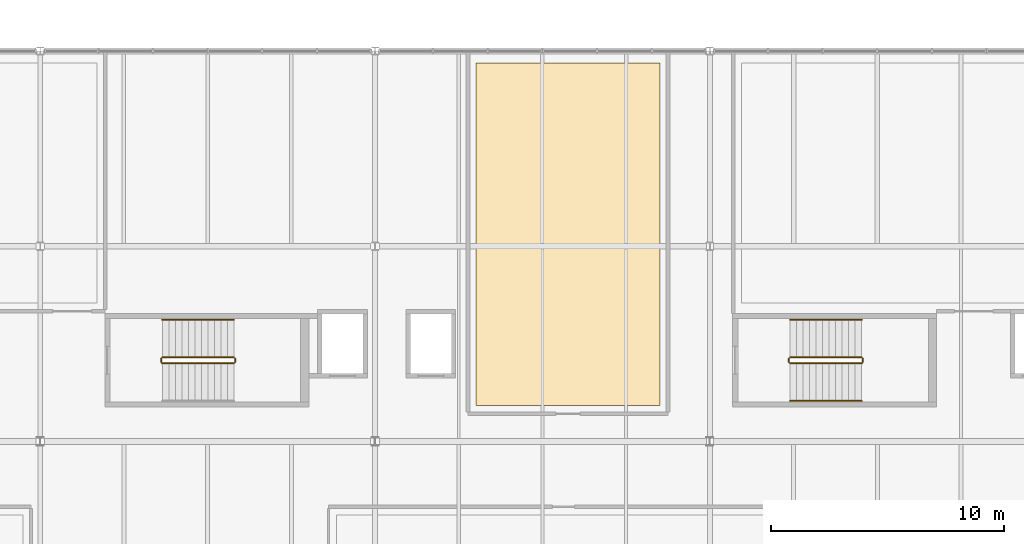
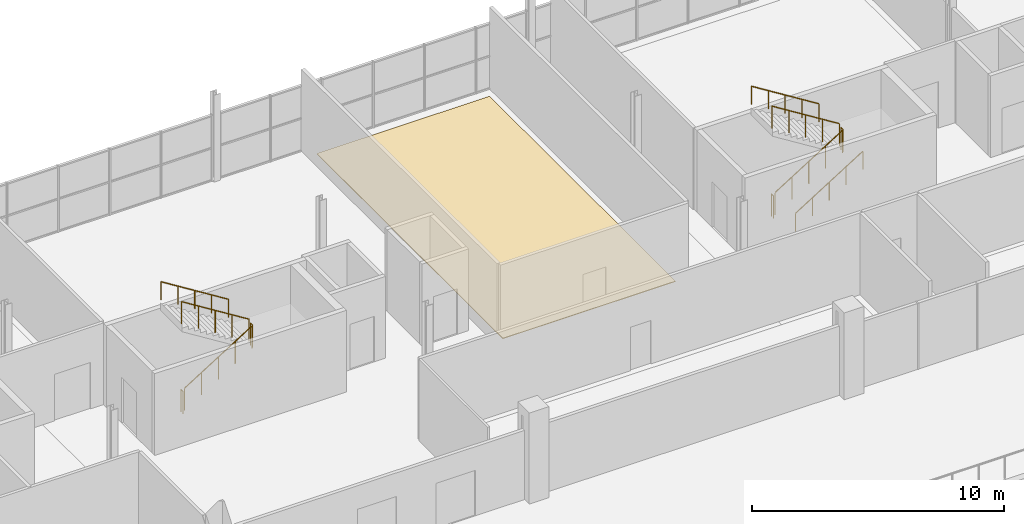
# One storey, part 91 of 93: 11 railings, 1 covering.
"""IFC4 building model written with IfcOpenShell, lengths in metres."""

from ifc_helpers import new_model, si_unit, direction, frame, origin, origin_2d, place, context, subcontext, project, spatial, polyline, circle, outline, extrude, material, layer, layer_set, type_object, element, save


model = new_model("IFC4")

# Units and contexts
model_context = context("Model", 3, precision=1e-05, world=origin(), true_north=direction((0.0, 1.0)))
body_context = subcontext(model_context, "Body", "Model", "MODEL_VIEW")
ifc_project = project(units=[si_unit("LENGTHUNIT", "METRE"), si_unit("AREAUNIT", "SQUARE_METRE"), si_unit("VOLUMEUNIT", "CUBIC_METRE"), si_unit("PLANEANGLEUNIT", "RADIAN"), si_unit("MASSUNIT", "GRAM", prefix="KILO"), si_unit("THERMODYNAMICTEMPERATUREUNIT", "KELVIN")], contexts=[model_context])

# Site, building, storey
site_placement = place(None, origin())
site = spatial("IfcSite", under=ifc_project, at=site_placement, CompositionType="ELEMENT")
building_placement = place(site_placement, origin())
building = spatial("IfcBuilding", under=site, at=building_placement, Name="Nduvali Passage Aquatics Centre", CompositionType="ELEMENT")
storey_placement = place(building_placement, frame((0.0, 0.0, 9.0)))
storey = spatial("IfcBuildingStorey", under=building, at=storey_placement, Name="L02", CompositionType="ELEMENT", Elevation=9.0)

# Covering
ifc_material_1 = material(Name="Polished coral-aggregate terrazzo")
ifc_layer = layer(ifc_material_1, 0.030029296875, Name="Polished coral-aggregate terrazzo")
ifc_layer_set = layer_set([ifc_layer], Name="Polished coral-aggregate terrazzo")
covering_type = type_object("IfcCoveringType", Name="INT-COV-TERRAZZO", PredefinedType="FLOORING", material=ifc_layer_set)
covering_placement = place(storey_placement, origin())
element("IfcCovering", 1, at=covering_placement, inside=storey, type_object=covering_type, Name="L02 Sports Medicine Consultation Clinic Floor Finish", PredefinedType="FLOORING", context=body_context, shape_type="SweptSolid", body=[
    extrude(outline(polyline([(87.14990234375, 102.35009765625), (95.050048828125, 102.35009765625), (95.050048828125, 117.090087890625), (87.14990234375, 117.090087890625), (87.14990234375, 102.35009765625)])), origin(), (0.0, 0.0, 1.0), 0.030029296875),
])

# Railings
ifc_material_2 = material(Name="Stainless steel balustrade", Category="steel")
railing_type_1 = type_object("IfcRailingType", Name="INT-RLG-GRD110", PredefinedType="GUARDRAIL", material=ifc_material_2)
railing_1_placement = place(storey_placement, frame((73.64990234375, 104.169921875, 0.175048828125)))
element("IfcRailing", 2, at=railing_1_placement, inside=storey, type_object=railing_type_1, Name="L02 ST1 stair guard 1", PredefinedType="GUARDRAIL", context=body_context, shape_type="SweptSolid", body=[
    extrude(circle(Radius=0.02392578125, at=origin_2d()), frame((0.0, 0.0, 1.076171875), z_axis=(0.847998304005, 0.0, 0.529998940003), x_axis=(0.0, 1.0, 0.0)), (0.0, 0.0, 1.0), 3.632080078125),
    extrude(circle(Radius=0.02099609375, at=origin_2d()), origin(), (0.0, 0.0, 1.0), 1.052001953125),
    extrude(circle(Radius=0.02099609375, at=origin_2d()), frame((0.77001953125, 0.0, 0.481201171875)), (0.0, 0.0, 1.0), 1.052001953125),
    extrude(circle(Radius=0.02099609375, at=origin_2d()), frame((1.5400390625, 0.0, 0.96240234375)), (0.0, 0.0, 1.0), 1.052001953125),
    extrude(circle(Radius=0.02099609375, at=origin_2d()), frame((2.31005859375, 0.0, 1.44384765625)), (0.0, 0.0, 1.0), 1.052001953125),
    extrude(circle(Radius=0.02099609375, at=origin_2d()), frame((3.080078125, 0.0, 1.925048828125)), (0.0, 0.0, 1.0), 1.052001953125),
])
railing_2_placement = place(storey_placement, frame((76.780029296875, 104.219970703125, 2.10009765625)))
element("IfcRailing", 3, at=railing_2_placement, inside=storey, type_object=railing_type_1, Name="L02 ST1 stair guard 2", PredefinedType="GUARDRAIL", context=body_context, shape_type="SweptSolid", body=[
    extrude(circle(Radius=0.02392578125, at=origin_2d()), frame((0.0, 0.0, 1.076171875), z_axis=(0.0, 1.0, 0.0), x_axis=(-1.0, 0.0, 0.0)), (0.0, 0.0, 1.0), 0.150146484375),
    extrude(circle(Radius=0.02099609375, at=origin_2d()), origin(), (0.0, 0.0, 1.0), 1.052001953125),
    extrude(circle(Radius=0.02099609375, at=origin_2d()), frame((0.0, 0.150146484375, 0.0)), (0.0, 0.0, 1.0), 1.052001953125),
])
railing_3_placement = place(storey_placement, frame((76.72998046875, 104.419921875, 2.27490234375)))
element("IfcRailing", 4, at=railing_3_placement, inside=storey, type_object=railing_type_1, Name="L02 ST1 stair guard 3", PredefinedType="GUARDRAIL", context=body_context, shape_type="SweptSolid", body=[
    extrude(circle(Radius=0.02392578125, at=origin_2d()), frame((0.0, 0.0, 1.076171875), z_axis=(-0.847998304005, 0.0, 0.529998940003), x_axis=(0.0, -1.0, 0.0)), (0.0, 0.0, 1.0), 3.632080078125),
    extrude(circle(Radius=0.02099609375, at=origin_2d()), origin(), (0.0, 0.0, 1.0), 1.052001953125),
    extrude(circle(Radius=0.02099609375, at=origin_2d()), frame((-0.77001953125, 0.0, 0.481201171875)), (0.0, 0.0, 1.0), 1.052001953125),
    extrude(circle(Radius=0.02099609375, at=origin_2d()), frame((-1.5400390625, 0.0, 0.96240234375)), (0.0, 0.0, 1.0), 1.052001953125),
    extrude(circle(Radius=0.02099609375, at=origin_2d()), frame((-2.31005859375, 0.0, 1.44384765625)), (0.0, 0.0, 1.0), 1.052001953125),
    extrude(circle(Radius=0.02099609375, at=origin_2d()), frame((-3.080078125, 0.0, 1.925048828125)), (0.0, 0.0, 1.0), 1.052001953125),
])
railing_4_placement = place(storey_placement, frame((73.60009765625, 104.219970703125, 0.0)))
element("IfcRailing", 5, at=railing_4_placement, inside=storey, type_object=railing_type_1, Name="L02 ST1 stair guard 4", PredefinedType="GUARDRAIL", context=body_context, shape_type="SweptSolid", body=[
    extrude(circle(Radius=0.02392578125, at=origin_2d()), frame((0.0, 0.0, 1.076171875), z_axis=(0.0, 1.0, 0.0), x_axis=(-1.0, 0.0, 0.0)), (0.0, 0.0, 1.0), 0.150146484375),
    extrude(circle(Radius=0.02099609375, at=origin_2d()), origin(), (0.0, 0.0, 1.0), 1.052001953125),
    extrude(circle(Radius=0.02099609375, at=origin_2d()), frame((0.0, 0.150146484375, 0.0)), (0.0, 0.0, 1.0), 1.052001953125),
])
railing_5_placement = place(storey_placement, frame((100.64990234375, 104.169921875, 0.175048828125)))
element("IfcRailing", 6, at=railing_5_placement, inside=storey, type_object=railing_type_1, Name="L02 ST11 stair guard 1", PredefinedType="GUARDRAIL", context=body_context, shape_type="SweptSolid", body=[
    extrude(circle(Radius=0.02392578125, at=origin_2d()), frame((0.0, 0.0, 1.076171875), z_axis=(0.847998304005, 0.0, 0.529998940003), x_axis=(0.0, 1.0, 0.0)), (0.0, 0.0, 1.0), 3.632080078125),
    extrude(circle(Radius=0.02099609375, at=origin_2d()), origin(), (0.0, 0.0, 1.0), 1.052001953125),
    extrude(circle(Radius=0.02099609375, at=origin_2d()), frame((0.77001953125, 0.0, 0.481201171875)), (0.0, 0.0, 1.0), 1.052001953125),
    extrude(circle(Radius=0.02099609375, at=origin_2d()), frame((1.5400390625, 0.0, 0.96240234375)), (0.0, 0.0, 1.0), 1.052001953125),
    extrude(circle(Radius=0.02099609375, at=origin_2d()), frame((2.31005859375, 0.0, 1.44384765625)), (0.0, 0.0, 1.0), 1.052001953125),
    extrude(circle(Radius=0.02099609375, at=origin_2d()), frame((3.080078125, 0.0, 1.925048828125)), (0.0, 0.0, 1.0), 1.052001953125),
])
railing_6_placement = place(storey_placement, frame((103.780029296875, 104.219970703125, 2.10009765625)))
element("IfcRailing", 7, at=railing_6_placement, inside=storey, type_object=railing_type_1, Name="L02 ST11 stair guard 2", PredefinedType="GUARDRAIL", context=body_context, shape_type="SweptSolid", body=[
    extrude(circle(Radius=0.02392578125, at=origin_2d()), frame((0.0, 0.0, 1.076171875), z_axis=(0.0, 1.0, 0.0), x_axis=(-1.0, 0.0, 0.0)), (0.0, 0.0, 1.0), 0.150146484375),
    extrude(circle(Radius=0.02099609375, at=origin_2d()), origin(), (0.0, 0.0, 1.0), 1.052001953125),
    extrude(circle(Radius=0.02099609375, at=origin_2d()), frame((0.0, 0.150146484375, 0.0)), (0.0, 0.0, 1.0), 1.052001953125),
])
railing_7_placement = place(storey_placement, frame((103.72998046875, 104.419921875, 2.27490234375)))
element("IfcRailing", 8, at=railing_7_placement, inside=storey, type_object=railing_type_1, Name="L02 ST11 stair guard 3", PredefinedType="GUARDRAIL", context=body_context, shape_type="SweptSolid", body=[
    extrude(circle(Radius=0.02392578125, at=origin_2d()), frame((0.0, 0.0, 1.076171875), z_axis=(-0.847998304005, 0.0, 0.529998940003), x_axis=(0.0, -1.0, 0.0)), (0.0, 0.0, 1.0), 3.632080078125),
    extrude(circle(Radius=0.02099609375, at=origin_2d()), origin(), (0.0, 0.0, 1.0), 1.052001953125),
    extrude(circle(Radius=0.02099609375, at=origin_2d()), frame((-0.77001953125, 0.0, 0.481201171875)), (0.0, 0.0, 1.0), 1.052001953125),
    extrude(circle(Radius=0.02099609375, at=origin_2d()), frame((-1.5400390625, 0.0, 0.96240234375)), (0.0, 0.0, 1.0), 1.052001953125),
    extrude(circle(Radius=0.02099609375, at=origin_2d()), frame((-2.31005859375, 0.0, 1.44384765625)), (0.0, 0.0, 1.0), 1.052001953125),
    extrude(circle(Radius=0.02099609375, at=origin_2d()), frame((-3.080078125, 0.0, 1.925048828125)), (0.0, 0.0, 1.0), 1.052001953125),
])
railing_8_placement = place(storey_placement, frame((100.60009765625, 104.219970703125, 0.0)))
element("IfcRailing", 9, at=railing_8_placement, inside=storey, type_object=railing_type_1, Name="L02 ST11 stair guard 4", PredefinedType="GUARDRAIL", context=body_context, shape_type="SweptSolid", body=[
    extrude(circle(Radius=0.02392578125, at=origin_2d()), frame((0.0, 0.0, 1.076171875), z_axis=(0.0, 1.0, 0.0), x_axis=(-1.0, 0.0, 0.0)), (0.0, 0.0, 1.0), 0.150146484375),
    extrude(circle(Radius=0.02099609375, at=origin_2d()), origin(), (0.0, 0.0, 1.0), 1.052001953125),
    extrude(circle(Radius=0.02099609375, at=origin_2d()), frame((0.0, 0.150146484375, 0.0)), (0.0, 0.0, 1.0), 1.052001953125),
])
railing_type_2 = type_object("IfcRailingType", Name="INT-RLG-HND90", PredefinedType="HANDRAIL", material=ifc_material_2)
railing_9_placement = place(storey_placement, frame((76.72998046875, 106.0400390625, 2.45361328125)))
element("IfcRailing", 10, at=railing_9_placement, inside=storey, type_object=railing_type_2, Name="L02 ST1 stair handrail 2", PredefinedType="HANDRAIL", context=body_context, shape_type="SweptSolid", body=[
    extrude(circle(Radius=0.02392578125, at=origin_2d()), frame((0.0, 0.0, 0.8759765625), z_axis=(-0.847998304005, 0.0, 0.529998940003), x_axis=(0.0, -1.0, 0.0)), (0.0, 0.0, 1.0), 3.632080078125),
    extrude(circle(Radius=0.02099609375, at=origin_2d()), origin(), (0.0, 0.0, 1.0), 0.851806640625),
    extrude(circle(Radius=0.02099609375, at=origin_2d()), frame((-0.77001953125, 0.0, 0.481201171875)), (0.0, 0.0, 1.0), 0.851806640625),
    extrude(circle(Radius=0.02099609375, at=origin_2d()), frame((-1.5400390625, 0.0, 0.96240234375)), (0.0, 0.0, 1.0), 0.851806640625),
    extrude(circle(Radius=0.02099609375, at=origin_2d()), frame((-2.31005859375, 0.0, 1.44384765625)), (0.0, 0.0, 1.0), 0.851806640625),
    extrude(circle(Radius=0.02099609375, at=origin_2d()), frame((-3.080078125, 0.0, 1.925048828125)), (0.0, 0.0, 1.0), 0.851806640625),
])
railing_10_placement = place(storey_placement, frame((100.64990234375, 102.550048828125, 0.353759765625)))
element("IfcRailing", 11, at=railing_10_placement, inside=storey, type_object=railing_type_2, Name="L02 ST11 stair handrail 1", PredefinedType="HANDRAIL", context=body_context, shape_type="SweptSolid", body=[
    extrude(circle(Radius=0.02392578125, at=origin_2d()), frame((0.0, 0.0, 0.8759765625), z_axis=(0.848028513186, 0.0, 0.529950602248), x_axis=(0.0, 1.0, 0.0)), (0.0, 0.0, 1.0), 3.632080078125),
    extrude(circle(Radius=0.02099609375, at=origin_2d()), origin(), (0.0, 0.0, 1.0), 0.851806640625),
    extrude(circle(Radius=0.02099609375, at=origin_2d()), frame((0.77001953125, 0.0, 0.481201171875)), (0.0, 0.0, 1.0), 0.851806640625),
    extrude(circle(Radius=0.02099609375, at=origin_2d()), frame((1.5400390625, 0.0, 0.96240234375)), (0.0, 0.0, 1.0), 0.851806640625),
    extrude(circle(Radius=0.02099609375, at=origin_2d()), frame((2.31005859375, 0.0, 1.443603515625)), (0.0, 0.0, 1.0), 0.851806640625),
    extrude(circle(Radius=0.02099609375, at=origin_2d()), frame((3.080078125, 0.0, 1.9248046875)), (0.0, 0.0, 1.0), 0.851806640625),
])
railing_11_placement = place(storey_placement, frame((103.72998046875, 106.0400390625, 2.45361328125)))
element("IfcRailing", 12, at=railing_11_placement, inside=storey, type_object=railing_type_2, Name="L02 ST11 stair handrail 2", PredefinedType="HANDRAIL", context=body_context, shape_type="SweptSolid", body=[
    extrude(circle(Radius=0.02392578125, at=origin_2d()), frame((0.0, 0.0, 0.8759765625), z_axis=(-0.847998304005, 0.0, 0.529998940003), x_axis=(0.0, -1.0, 0.0)), (0.0, 0.0, 1.0), 3.632080078125),
    extrude(circle(Radius=0.02099609375, at=origin_2d()), origin(), (0.0, 0.0, 1.0), 0.851806640625),
    extrude(circle(Radius=0.02099609375, at=origin_2d()), frame((-0.77001953125, 0.0, 0.481201171875)), (0.0, 0.0, 1.0), 0.851806640625),
    extrude(circle(Radius=0.02099609375, at=origin_2d()), frame((-1.5400390625, 0.0, 0.96240234375)), (0.0, 0.0, 1.0), 0.851806640625),
    extrude(circle(Radius=0.02099609375, at=origin_2d()), frame((-2.31005859375, 0.0, 1.44384765625)), (0.0, 0.0, 1.0), 0.851806640625),
    extrude(circle(Radius=0.02099609375, at=origin_2d()), frame((-3.080078125, 0.0, 1.925048828125)), (0.0, 0.0, 1.0), 0.851806640625),
])

save(model, "model.ifc")
